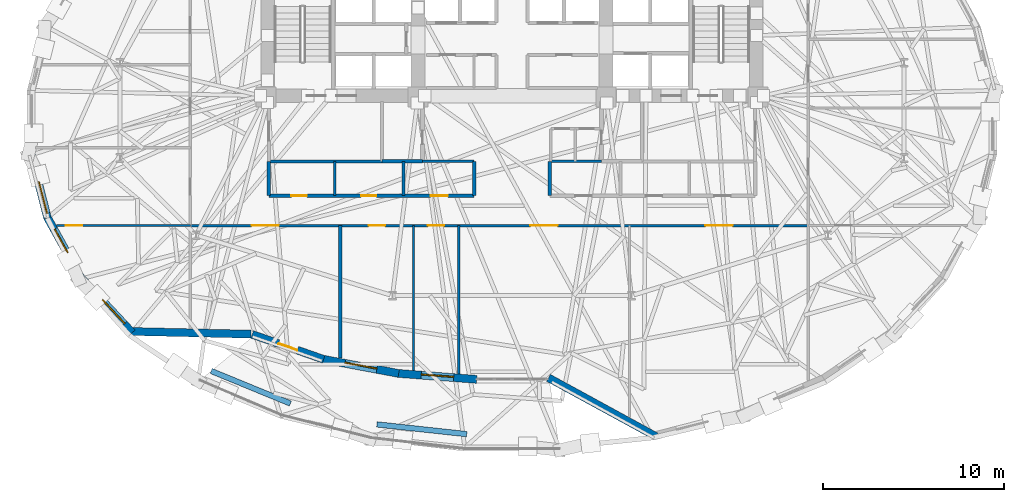
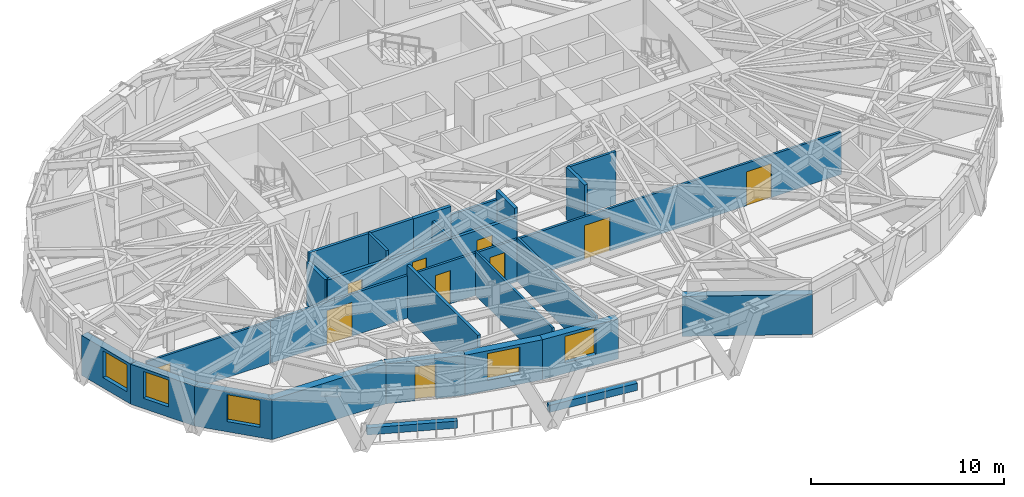
# One storey, part 7 of 15: 25 walls, 10 doors, 5 windows, 15 openings.
"""IFC4 building model written with IfcOpenShell, lengths in metres."""

from ifc_helpers import new_model, si_unit, direction, frame, frame_2d, origin, place, context, subcontext, project, spatial, rectangle, extrude, material, layer, layer_set, type_object, element, fill, save


model = new_model("IFC4")

# Units and contexts
model_context = context("Model", 3, precision=1e-05, world=origin(), true_north=direction((0.0, 1.0)))
body_context = subcontext(model_context, "Body", "Model", "MODEL_VIEW")
ifc_project = project(units=[si_unit("LENGTHUNIT", "METRE"), si_unit("AREAUNIT", "SQUARE_METRE"), si_unit("VOLUMEUNIT", "CUBIC_METRE"), si_unit("PLANEANGLEUNIT", "RADIAN"), si_unit("MASSUNIT", "GRAM", prefix="KILO")], contexts=[model_context])

# Site, building, storey
site_placement = place(None, origin())
site = spatial("IfcSite", under=ifc_project, at=site_placement, CompositionType="ELEMENT")
building_placement = place(site_placement, origin())
building = spatial("IfcBuilding", under=site, at=building_placement, Name="Keldmark Tower", CompositionType="ELEMENT")
storey_placement = place(building_placement, frame((0.0, 0.0, 114.10009765625)))
storey = spatial("IfcBuildingStorey", under=building, at=storey_placement, Name="L30", CompositionType="ELEMENT", Elevation=114.10009765625)

# Wall, openings, doors
ifc_material_1 = material(Name="Acoustic Double-Layer Gypsum Corridor Partition", Category="gypsum")
ifc_layer_1 = layer(ifc_material_1, 0.139892578125)
ifc_layer_set_1 = layer_set([ifc_layer_1], Name="Acoustic Double-Layer Gypsum Corridor Partition")
wall_type_1 = type_object("IfcWallType", Name="Acoustic Corridor Partition 140 mm", PredefinedType="PARTITIONING", material=ifc_layer_set_1)
wall_1_placement = place(storey_placement, frame((-17.800048828125, -5.699951171875, 0.0), z_axis=(0.0, 0.0, 1.0), x_axis=(1.0, 0.0, 0.0)))
wall_1 = element("IfcWall", 1, at=wall_1_placement, inside=storey, type_object=wall_type_1, Name="L30 Acoustic Corridor Partition 140 mm COR-S", PredefinedType="PARTITIONING", context=body_context, shape_type="SweptSolid", body=[
    extrude(rectangle(XDim=34.199951171875, YDim=0.139892578125, at=frame_2d((17.10009765625, 0.0))), origin(), (0.0, 0.0, 1.0), 2.68798828125),
])
opening_1_placement = place(wall_1_placement, frame((3.39990234375, 0.0, 0.0)))
opening_1 = element("IfcOpeningElement", 2, at=opening_1_placement, cuts=wall_1, Name="Opening D-CF150", PredefinedType="OPENING", context=body_context, shape_type="SweptSolid", body=[
    extrude(rectangle(XDim=1.5, YDim=2.14990234375, at=frame_2d((0.75, 1.074951171875))), frame((0.0, 0.079833984375, 0.0), z_axis=(0.0, -1.0, 0.0), x_axis=(1.0, 0.0, 0.0)), (0.0, 0.0, 1.0), 0.159912109375),
])
opening_2_placement = place(wall_1_placement, frame((9.8740234375, 0.0, 0.0)))
opening_2 = element("IfcOpeningElement", 3, at=opening_2_placement, cuts=wall_1, Name="Opening D-IN090", PredefinedType="OPENING", context=body_context, shape_type="SweptSolid", body=[
    extrude(rectangle(XDim=0.89990234375, YDim=2.10009765625, at=frame_2d((0.449951171875, 1.050048828125))), frame((0.0, 0.079833984375, 0.0), z_axis=(0.0, -1.0, 0.0), x_axis=(1.0, 0.0, 0.0)), (0.0, 0.0, 1.0), 0.159912109375),
])
opening_3_placement = place(wall_1_placement, frame((13.14697265625, 0.0, 0.0)))
opening_3 = element("IfcOpeningElement", 4, at=opening_3_placement, cuts=wall_1, Name="Opening D-IN090", PredefinedType="OPENING", context=body_context, shape_type="SweptSolid", body=[
    extrude(rectangle(XDim=0.89990234375, YDim=2.10009765625, at=frame_2d((0.449951171875, 1.050048828125))), frame((0.0, 0.079833984375, 0.0), z_axis=(0.0, -1.0, 0.0), x_axis=(1.0, 0.0, 0.0)), (0.0, 0.0, 1.0), 0.159912109375),
])
opening_4_placement = place(wall_1_placement, frame((18.822998046875, 0.0, 0.0)))
opening_4 = element("IfcOpeningElement", 5, at=opening_4_placement, cuts=wall_1, Name="Opening D-CF150", PredefinedType="OPENING", context=body_context, shape_type="SweptSolid", body=[
    extrude(rectangle(XDim=1.5, YDim=2.14990234375, at=frame_2d((0.75, 1.074951171875))), frame((0.0, 0.079833984375, 0.0), z_axis=(0.0, -1.0, 0.0), x_axis=(1.0, 0.0, 0.0)), (0.0, 0.0, 1.0), 0.159912109375),
])
opening_5_placement = place(wall_1_placement, frame((28.5, 0.0, 0.0)))
opening_5 = element("IfcOpeningElement", 6, at=opening_5_placement, cuts=wall_1, Name="Opening D-CF150", PredefinedType="OPENING", context=body_context, shape_type="SweptSolid", body=[
    extrude(rectangle(XDim=1.5, YDim=2.14990234375, at=frame_2d((0.75, 1.074951171875))), frame((0.0, 0.079833984375, 0.0), z_axis=(0.0, -1.0, 0.0), x_axis=(1.0, 0.0, 0.0)), (0.0, 0.0, 1.0), 0.159912109375),
])
ifc_material_2 = material(Name="Acoustic Timber and Tempered Glass Double Door", Category="wood")
door_type_1 = type_object("IfcDoorType", Name="Conference Double Door 1500x2150", OperationType="DOUBLE_DOOR_SINGLE_SWING", PredefinedType="DOOR", material=ifc_material_2)
door_1_placement = place(opening_1_placement, origin())
door_1 = element("IfcDoor", 7, at=door_1_placement, inside=storey, type_object=door_type_1, Name="L30 Conference Double Door 1500x2150 D-SR-1-L30", OperationType="DOUBLE_DOOR_SINGLE_SWING", OverallHeight=2.14990234375, OverallWidth=1.5, PredefinedType="DOOR", context=body_context, shape_type="SweptSolid", body=[
    extrude(rectangle(XDim=1.5, YDim=2.14990234375, at=frame_2d((0.75, 1.074951171875))), frame((0.0, 0.02490234375, 0.0), z_axis=(0.0, -1.0, 0.0), x_axis=(1.0, 0.0, 0.0)), (0.0, 0.0, 1.0), 0.050048828125),
])
fill(opening_1, door_1)
door_2_placement = place(opening_4_placement, origin())
door_2 = element("IfcDoor", 8, at=door_2_placement, inside=storey, type_object=door_type_1, Name="L30 Conference Double Door 1500x2150 D-SR-4-L30", OperationType="DOUBLE_DOOR_SINGLE_SWING", OverallHeight=2.14990234375, OverallWidth=1.5, PredefinedType="DOOR", context=body_context, shape_type="SweptSolid", body=[
    extrude(rectangle(XDim=1.5, YDim=2.14990234375, at=frame_2d((0.75, 1.074951171875))), frame((0.0, 0.02490234375, 0.0), z_axis=(0.0, -1.0, 0.0), x_axis=(1.0, 0.0, 0.0)), (0.0, 0.0, 1.0), 0.050048828125),
])
fill(opening_4, door_2)
door_3_placement = place(opening_5_placement, origin())
door_3 = element("IfcDoor", 9, at=door_3_placement, inside=storey, type_object=door_type_1, Name="L30 Conference Double Door 1500x2150 D-SR-5-L30", OperationType="DOUBLE_DOOR_SINGLE_SWING", OverallHeight=2.14990234375, OverallWidth=1.5, PredefinedType="DOOR", context=body_context, shape_type="SweptSolid", body=[
    extrude(rectangle(XDim=1.5, YDim=2.14990234375, at=frame_2d((0.75, 1.074951171875))), frame((0.0, 0.02490234375, 0.0), z_axis=(0.0, -1.0, 0.0), x_axis=(1.0, 0.0, 0.0)), (0.0, 0.0, 1.0), 0.050048828125),
])
fill(opening_5, door_3)
ifc_material_3 = material(Name="Stained American White Oak Veneer", Category="wood")
door_type_2 = type_object("IfcDoorType", Name="Interior Door 900x2100", OperationType="NOTDEFINED", PredefinedType="DOOR", material=ifc_material_3)
door_4_placement = place(opening_2_placement, origin())
door_4 = element("IfcDoor", 10, at=door_4_placement, inside=storey, type_object=door_type_2, Name="L30 Interior Door 900x2100 D-SR-2-L30", OperationType="SINGLE_SWING_RIGHT", OverallHeight=2.10009765625, OverallWidth=0.89990234375, PredefinedType="DOOR", context=body_context, shape_type="SweptSolid", body=[
    extrude(rectangle(XDim=0.89990234375, YDim=2.10009765625, at=frame_2d((0.449951171875, 1.050048828125))), frame((0.0, 0.02490234375, 0.0), z_axis=(0.0, -1.0, 0.0), x_axis=(1.0, 0.0, 0.0)), (0.0, 0.0, 1.0), 0.050048828125),
])
fill(opening_2, door_4)
door_5_placement = place(opening_3_placement, origin())
door_5 = element("IfcDoor", 11, at=door_5_placement, inside=storey, type_object=door_type_2, Name="L30 Interior Door 900x2100 D-STERR-L30", OperationType="SINGLE_SWING_LEFT", OverallHeight=2.10009765625, OverallWidth=0.89990234375, PredefinedType="DOOR", context=body_context, shape_type="SweptSolid", body=[
    extrude(rectangle(XDim=0.89990234375, YDim=2.10009765625, at=frame_2d((0.449951171875, 1.050048828125))), frame((0.0, 0.02490234375, 0.0), z_axis=(0.0, -1.0, 0.0), x_axis=(1.0, 0.0, 0.0)), (0.0, 0.0, 1.0), 0.050048828125),
])
fill(opening_3, door_5)

# Wall
ifc_material_4 = material(Name="STC-58 Insulated Tenant Demising Gypsum Partition", Category="gypsum")
ifc_layer_2 = layer(ifc_material_4, 0.175048828125)
ifc_layer_set_2 = layer_set([ifc_layer_2], Name="STC-58 Insulated Tenant Demising Gypsum Partition")
wall_type_2 = type_object("IfcWallType", Name="Demising Suite Partition 175 mm", PredefinedType="PARTITIONING", material=ifc_layer_set_2)
wall_2_placement = place(storey_placement, frame((-9.5, -13.043212890625, 0.0), z_axis=(0.0, 0.0, 1.0), x_axis=(0.0, 1.0, 0.0)))
element("IfcWall", 12, at=wall_2_placement, inside=storey, type_object=wall_type_2, Name="L30 Demising Suite Partition 175 mm S-DIV-1", PredefinedType="PARTITIONING", context=body_context, shape_type="SweptSolid", body=[
    extrude(rectangle(XDim=7.34326171875, YDim=0.175048828125, at=frame_2d((3.671630859375, 0.0))), origin(), (0.0, 0.0, 1.0), 3.309814453125),
])

# Wall, openings, doors
ifc_material_5 = material(Name="Heavy Acoustic Plumbing Chase Gypsum Assembly", Category="gypsum")
ifc_layer_3 = layer(ifc_material_5, 0.18994140625)
ifc_layer_set_3 = layer_set([ifc_layer_3], Name="Heavy Acoustic Plumbing Chase Gypsum Assembly")
wall_type_3 = type_object("IfcWallType", Name="Heavy Wet Wall 190 mm", PredefinedType="PLUMBINGWALL", material=ifc_layer_set_3)
wall_3_placement = place(storey_placement, frame((-13.449951171875, -4.050048828125, 0.0), z_axis=(0.0, 0.0, 1.0), x_axis=(1.0, 0.0, 0.0)))
wall_3 = element("IfcWall", 13, at=wall_3_placement, inside=storey, type_object=wall_type_3, Name="L30 Heavy Wet Wall 190 mm SPK-W-S", PredefinedType="PLUMBINGWALL", context=body_context, shape_type="SweptSolid", body=[
    extrude(rectangle(XDim=11.349853515625, YDim=0.18994140625, at=frame_2d((5.6748046875, 0.0))), origin(), (0.0, 0.0, 1.0), 2.762939453125),
])
opening_6_placement = place(wall_3_placement, frame((1.25, 0.0, 0.0)))
opening_6 = element("IfcOpeningElement", 14, at=opening_6_placement, cuts=wall_3, Name="Opening D-WC085", PredefinedType="OPENING", context=body_context, shape_type="SweptSolid", body=[
    extrude(rectangle(XDim=0.85009765625, YDim=2.10009765625, at=frame_2d((0.425048828125, 1.050048828125))), frame((0.0, 0.10498046875, 0.0), z_axis=(0.0, -1.0, 0.0), x_axis=(1.0, 0.0, 0.0)), (0.0, 0.0, 1.0), 0.2099609375),
])
opening_7_placement = place(wall_3_placement, frame((5.10009765625, 0.0, 0.0)))
opening_7 = element("IfcOpeningElement", 15, at=opening_7_placement, cuts=wall_3, Name="Opening D-WC085", PredefinedType="OPENING", context=body_context, shape_type="SweptSolid", body=[
    extrude(rectangle(XDim=0.85009765625, YDim=2.10009765625, at=frame_2d((0.425048828125, 1.050048828125))), frame((0.0, 0.10498046875, 0.0), z_axis=(0.0, -1.0, 0.0), x_axis=(1.0, 0.0, 0.0)), (0.0, 0.0, 1.0), 0.2099609375),
])
opening_8_placement = place(wall_3_placement, frame((8.949951171875, 0.0, 0.0)))
opening_8 = element("IfcOpeningElement", 16, at=opening_8_placement, cuts=wall_3, Name="Opening D-AWC95", PredefinedType="OPENING", context=body_context, shape_type="SweptSolid", body=[
    extrude(rectangle(XDim=0.949951171875, YDim=2.14990234375, at=frame_2d((0.47509765625, 1.074951171875))), frame((0.0, 0.10498046875, 0.0), z_axis=(0.0, -1.0, 0.0), x_axis=(1.0, 0.0, 0.0)), (0.0, 0.0, 1.0), 0.2099609375),
])
ifc_material_6 = material(Name="Painted Solid-Core Architectural Wood", Category="wood")
door_type_3 = type_object("IfcDoorType", Name="Accessible WC Door 950x2150", OperationType="NOTDEFINED", PredefinedType="DOOR", material=ifc_material_6)
door_6_placement = place(opening_8_placement, origin())
door_6 = element("IfcDoor", 17, at=door_6_placement, inside=storey, type_object=door_type_3, Name="L30 Accessible WC Door 950x2150 D-SPKW3-L30", OperationType="SINGLE_SWING_LEFT", OverallHeight=2.14990234375, OverallWidth=0.949951171875, PredefinedType="DOOR", context=body_context, shape_type="SweptSolid", body=[
    extrude(rectangle(XDim=0.949951171875, YDim=2.14990234375, at=frame_2d((0.47509765625, 1.074951171875))), frame((0.0, 0.02490234375, 0.0), z_axis=(0.0, -1.0, 0.0), x_axis=(1.0, 0.0, 0.0)), (0.0, 0.0, 1.0), 0.050048828125),
])
fill(opening_8, door_6)
ifc_material_7 = material(Name="Moisture-Sealed Painted Wood", Category="wood")
door_type_4 = type_object("IfcDoorType", Name="WC Door 850x2100", OperationType="NOTDEFINED", PredefinedType="DOOR", material=ifc_material_7)
door_7_placement = place(opening_6_placement, origin())
door_7 = element("IfcDoor", 18, at=door_7_placement, inside=storey, type_object=door_type_4, Name="L30 WC Door 850x2100 D-SPKW1-L30", OperationType="SINGLE_SWING_LEFT", OverallHeight=2.10009765625, OverallWidth=0.85009765625, PredefinedType="DOOR", context=body_context, shape_type="SweptSolid", body=[
    extrude(rectangle(XDim=0.85009765625, YDim=2.10009765625, at=frame_2d((0.425048828125, 1.050048828125))), frame((0.0, 0.02490234375, 0.0), z_axis=(0.0, -1.0, 0.0), x_axis=(1.0, 0.0, 0.0)), (0.0, 0.0, 1.0), 0.050048828125),
])
fill(opening_6, door_7)
door_8_placement = place(opening_7_placement, origin())
door_8 = element("IfcDoor", 19, at=door_8_placement, inside=storey, type_object=door_type_4, Name="L30 WC Door 850x2100 D-SPKW2-L30", OperationType="SINGLE_SWING_RIGHT", OverallHeight=2.10009765625, OverallWidth=0.85009765625, PredefinedType="DOOR", context=body_context, shape_type="SweptSolid", body=[
    extrude(rectangle(XDim=0.85009765625, YDim=2.10009765625, at=frame_2d((0.425048828125, 1.050048828125))), frame((0.0, 0.02490234375, 0.0), z_axis=(0.0, -1.0, 0.0), x_axis=(1.0, 0.0, 0.0)), (0.0, 0.0, 1.0), 0.050048828125),
])
fill(opening_7, door_8)

# Walls
wall_4_placement = place(storey_placement, frame((-13.449951171875, -4.050048828125, 0.0), z_axis=(0.0, 0.0, 1.0), x_axis=(0.0, 1.0, 0.0)))
element("IfcWall", 20, at=wall_4_placement, inside=storey, type_object=wall_type_3, Name="L30 Heavy Wet Wall 190 mm SPK-W-W", PredefinedType="PLUMBINGWALL", context=body_context, shape_type="SweptSolid", body=[
    extrude(rectangle(XDim=1.900146484375, YDim=0.18994140625, at=frame_2d((0.9501953125, 0.0))), origin(), (0.0, 0.0, 1.0), 2.762939453125),
])
for number, where, z_axis, x_axis, name in (
    (21, (-2.10009765625, -4.050048828125, 0.0), (0.0, 0.0, 1.0), (0.0, 1.0, 0.0), "L30 Heavy Wet Wall 190 mm SPK-W-E"),
    (22, (2.10009765625, -4.050048828125, 0.0), (0.0, 0.0, 1.0), (0.0, 1.0, 0.0), "L30 Heavy Wet Wall 190 mm SPK-E-W"),
):
    element("IfcWall", number, at=place(storey_placement, frame(where, z_axis=z_axis, x_axis=x_axis)), inside=storey, type_object=wall_type_3, Name=name, PredefinedType="PLUMBINGWALL", context=body_context, shape_type="SweptSolid", body=[
        extrude(rectangle(XDim=1.900146484375, YDim=0.18994140625, at=frame_2d((0.9501953125, 0.0))), origin(), (0.0, 0.0, 1.0), 3.309814453125),
    ])
ifc_material_8 = material(Name="Acoustic Gypsum Board Interior Partition", Category="gypsum")
ifc_layer_4 = layer(ifc_material_8, 0.1298828125)
ifc_layer_set_4 = layer_set([ifc_layer_4], Name="Acoustic Gypsum Board Interior Partition")
wall_type_4 = type_object("IfcWallType", Name="Interior Partition 130 mm", PredefinedType="PARTITIONING", material=ifc_layer_set_4)
wall_5_placement = place(storey_placement, frame((-5.452880859375, -13.718017578125, 0.0), z_axis=(0.0, 0.0, 1.0), x_axis=(0.0, 1.0, 0.0)))
element("IfcWall", 23, at=wall_5_placement, inside=storey, type_object=wall_type_4, Name="L30 Interior Partition 130 mm S-DIV-2", PredefinedType="PARTITIONING", context=body_context, shape_type="SweptSolid", body=[
    extrude(rectangle(XDim=8.01806640625, YDim=0.1298828125, at=frame_2d((4.009033203125, 0.0))), origin(), (0.0, 0.0, 1.0), 2.762939453125),
])
wall_6_placement = place(storey_placement, frame((-2.952880859375, -13.90771484375, 0.0), z_axis=(0.0, 0.0, 1.0), x_axis=(0.0, 1.0, 0.0)))
element("IfcWall", 24, at=wall_6_placement, inside=storey, type_object=wall_type_4, Name="L30 Interior Partition 130 mm S-DIV-3", PredefinedType="PARTITIONING", context=body_context, shape_type="SweptSolid", body=[
    extrude(rectangle(XDim=8.207763671875, YDim=0.1298828125, at=frame_2d((4.10400390625, 0.0))), origin(), (0.0, 0.0, 1.0), 2.762939453125),
])

# Wall, opening, door
wall_7_placement = place(storey_placement, frame((-25.198974609375, -5.699951171875, 0.0), z_axis=(0.0, 0.0, 1.0), x_axis=(1.0, 0.0, 0.0)))
wall_7 = element("IfcWall", 25, at=wall_7_placement, inside=storey, type_object=wall_type_4, Name="L30 Interior Partition 130 mm W-CAP-S", PredefinedType="PARTITIONING", context=body_context, shape_type="SweptSolid", body=[
    extrude(rectangle(XDim=7.39892578125, YDim=0.1298828125, at=frame_2d((3.699462890625, 0.0))), origin(), (0.0, 0.0, 1.0), 2.68798828125),
])
opening_9_placement = place(wall_7_placement, frame((0.510009765625, 0.0, 0.0)))
opening_9 = element("IfcOpeningElement", 26, at=opening_9_placement, cuts=wall_7, Name="Opening D-IN090", PredefinedType="OPENING", context=body_context, shape_type="SweptSolid", body=[
    extrude(rectangle(XDim=0.89990234375, YDim=2.10009765625, at=frame_2d((0.449951171875, 1.050048828125))), frame((0.0, 0.074951171875, 0.0), z_axis=(0.0, -1.0, 0.0), x_axis=(1.0, 0.0, 0.0)), (0.0, 0.0, 1.0), 0.14990234375),
])
door_9_placement = place(opening_9_placement, origin())
door_9 = element("IfcDoor", 27, at=door_9_placement, inside=storey, type_object=door_type_2, Name="L30 Interior Door 900x2100 D-WRSW-L30", OperationType="SINGLE_SWING_LEFT", OverallHeight=2.10009765625, OverallWidth=0.89990234375, PredefinedType="DOOR", context=body_context, shape_type="SweptSolid", body=[
    extrude(rectangle(XDim=0.89990234375, YDim=2.10009765625, at=frame_2d((0.449951171875, 1.050048828125))), frame((0.0, 0.02490234375, 0.0), z_axis=(0.0, -1.0, 0.0), x_axis=(1.0, 0.0, 0.0)), (0.0, 0.0, 1.0), 0.050048828125),
])
fill(opening_9, door_9)

# Walls
ifc_material_9 = material(Name="Type X Fire-Rated Gypsum Partition Assembly", Category="gypsum")
ifc_layer_5 = layer(ifc_material_9, 0.1650390625)
ifc_layer_set_5 = layer_set([ifc_layer_5], Name="Type X Fire-Rated Gypsum Partition Assembly")
wall_type_5 = type_object("IfcWallType", Name="Rated Partition 165 mm", PredefinedType="PARTITIONING", material=ifc_layer_set_5)
wall_8_placement = place(storey_placement, frame((-13.449951171875, -2.14990234375, 0.0), z_axis=(0.0, 0.0, 1.0), x_axis=(1.0, 0.0, 0.0)))
element("IfcWall", 28, at=wall_8_placement, inside=storey, type_object=wall_type_5, Name="L30 Rated Partition 165 mm FSAE-W-S", PredefinedType="PARTITIONING", context=body_context, shape_type="SweptSolid", body=[
    extrude(rectangle(XDim=6.25, YDim=0.1650390625, at=frame_2d((3.125, 0.0))), origin(), (0.0, 0.0, 1.0), 3.309814453125),
])
ifc_material_10 = material(Name="Fire-Resistant Type X Gypsum Shaftliner Coreboard", Category="gypsum")
ifc_layer_6 = layer(ifc_material_10, 0.199951171875)
ifc_layer_set_6 = layer_set([ifc_layer_6], Name="Fire-Resistant Type X Gypsum Shaftliner Coreboard")
wall_type_6 = type_object("IfcWallType", Name="Shaft Wall 200 mm", PredefinedType="SOLIDWALL", material=ifc_layer_set_6)
wall_9_placement = place(storey_placement, frame((-7.199951171875, -2.14990234375, 0.0), z_axis=(0.0, 0.0, 1.0), x_axis=(1.0, 0.0, 0.0)))
element("IfcWall", 29, at=wall_9_placement, inside=storey, type_object=wall_type_6, Name="L30 Shaft Wall 200 mm RIS-SW-S", PredefinedType="SOLIDWALL", context=body_context, shape_type="SweptSolid", body=[
    extrude(rectangle(XDim=2.25, YDim=0.199951171875, at=frame_2d((1.125, 0.0))), origin(), (0.0, 0.0, 1.0), 3.309814453125),
])
ifc_material_11 = material(Name="Ironspot Manganese Brick Planter Masonry", Category="masonry")
ifc_layer_7 = layer(ifc_material_11, 0.300048828125)
ifc_layer_set_7 = layer_set([ifc_layer_7], Name="Ironspot Manganese Brick Planter Masonry")
wall_type_7 = type_object("IfcWallType", Name="Terrace Brick Planter Kerb Wall 300 mm", PredefinedType="PARAPET", material=ifc_layer_set_7)
wall_10_placement = place(storey_placement, frame((-16.642578125, -13.748046875, 0.0), z_axis=(0.0, 0.0, 1.0), x_axis=(0.924939291397, -0.380114860576, 0.0)))
element("IfcWall", 30, at=wall_10_placement, inside=storey, type_object=wall_type_7, Name="L30 Sky Garden Planter 01", PredefinedType="PARAPET", context=body_context, shape_type="SweptSolid", body=[
    extrude(rectangle(XDim=4.73876953125, YDim=0.300048828125, at=frame_2d((2.369384765625, 0.0))), origin(), (0.0, 0.0, 1.0), 0.449951171875),
])
wall_11_placement = place(storey_placement, frame((-7.47412109375, -16.70361328125, 0.0), z_axis=(0.0, 0.0, 1.0), x_axis=(0.994167482167, -0.107847194685, 0.0)))
element("IfcWall", 31, at=wall_11_placement, inside=storey, type_object=wall_type_7, Name="L30 Sky Garden Planter 03", PredefinedType="PARAPET", context=body_context, shape_type="SweptSolid", body=[
    extrude(rectangle(XDim=4.998291015625, YDim=0.300048828125, at=frame_2d((2.4990234375, 0.0))), origin(), (0.0, 0.0, 1.0), 0.449951171875),
])

# Wall, opening, window
ifc_material_12 = material(Name="Ironspot Manganese Brick and Kasota Buff Limestone Spandrel Assembly", Category="masonry")
ifc_layer_8 = layer(ifc_material_12, 0.43994140625)
ifc_layer_set_8 = layer_set([ifc_layer_8], Name="Ironspot Manganese Brick and Kasota Buff Limestone Spandrel Assembly")
wall_type_8 = type_object("IfcWallType", Name="Tower Brick Pier and Spandrel Wall 440 mm", PredefinedType="STANDARD", material=ifc_layer_set_8)
wall_12_placement = place(storey_placement, frame((-25.704345703125, -5.275634765625, 0.0), z_axis=(0.0, 0.0, 1.0), x_axis=(-0.247172296022, 0.968971545547, 0.0)))
wall_12 = element("IfcWall", 32, at=wall_12_placement, inside=storey, type_object=wall_type_8, Name="L30 Exterior Brick and Spandrel Wall 17", PredefinedType="STANDARD", context=body_context, shape_type="SweptSolid", body=[
    extrude(rectangle(XDim=3.652587890625, YDim=0.43994140625, at=frame_2d((1.826171875, 0.0))), origin(), (0.0, 0.0, 1.0), 2.52783203125),
])
opening_10_placement = place(wall_12_placement, frame((0.248291015625, 0.0, 0.64990234375)))
opening_10 = element("IfcOpeningElement", 33, at=opening_10_placement, cuts=wall_12, Name="Opening W-02", PredefinedType="OPENING", context=body_context, shape_type="SweptSolid", body=[
    extrude(rectangle(XDim=1.800048828125, YDim=1.699951171875, at=frame_2d((0.89990234375, 0.85009765625))), frame((0.0, 0.22998046875, 0.0), z_axis=(0.0, -1.0, 0.0), x_axis=(1.0, 0.0, 0.0)), (0.0, 0.0, 1.0), 0.4599609375),
])
ifc_material_13 = material(Name="Thermally Broken Anodized Aluminum and Triple Low-E Argon Glazing", Category="aluminium")
window_type_1 = type_object("IfcWindowType", Name="Office Deep-Set Triple Window 1800x1700", PartitioningType="TRIPLE_PANEL_VERTICAL", PredefinedType="WINDOW", material=ifc_material_13)
window_1_placement = place(opening_10_placement, origin())
window_1 = element("IfcWindow", 34, at=window_1_placement, inside=storey, type_object=window_type_1, Name="L30 Deep-Set Window 17", OverallHeight=1.699951171875, OverallWidth=1.800048828125, PartitioningType="SINGLE_PANEL", PredefinedType="WINDOW", context=body_context, shape_type="SweptSolid", body=[
    extrude(rectangle(XDim=1.800048828125, YDim=1.699951171875, at=frame_2d((0.89990234375, 0.85009765625))), frame((0.0, -0.010009765625, 0.0), z_axis=(0.0, -1.0, 0.0), x_axis=(1.0, 0.0, 0.0)), (0.0, 0.0, 1.0), 0.06005859375),
])
fill(opening_10, window_1)

wall_13_placement = place(storey_placement, frame((-23.84423828125, -8.60302734375, 0.0), z_axis=(0.0, 0.0, 1.0), x_axis=(-0.486285838125, 0.873799796086, 0.0)))
wall_13 = element("IfcWall", 35, at=wall_13_placement, inside=storey, type_object=wall_type_8, Name="L30 Exterior Brick and Spandrel Wall 18", PredefinedType="STANDARD", context=body_context, shape_type="SweptSolid", body=[
    extrude(rectangle(XDim=3.868408203125, YDim=0.43994140625, at=frame_2d((1.93408203125, 0.0))), origin(), (0.0, 0.0, 1.0), 2.52783203125),
])
opening_11_placement = place(wall_13_placement, frame((1.577880859375, 0.0, 0.64990234375)))
opening_11 = element("IfcOpeningElement", 36, at=opening_11_placement, cuts=wall_13, Name="Opening W-03", PredefinedType="OPENING", context=body_context, shape_type="SweptSolid", body=[
    extrude(rectangle(XDim=1.5, YDim=1.699951171875, at=frame_2d((0.75, 0.85009765625))), frame((0.0, 0.22998046875, 0.0), z_axis=(0.0, -1.0, 0.0), x_axis=(1.0, 0.0, 0.0)), (0.0, 0.0, 1.0), 0.4599609375),
])
ifc_material_14 = material(Name="Thermally Broken Anodized Aluminum and Triple Low-E Argon Glazing", Category="aluminium")
window_type_2 = type_object("IfcWindowType", Name="Office Corner Deep-Set Window 1500x1700", PartitioningType="DOUBLE_PANEL_VERTICAL", PredefinedType="WINDOW", material=ifc_material_14)
window_2_placement = place(opening_11_placement, origin())
window_2 = element("IfcWindow", 37, at=window_2_placement, inside=storey, type_object=window_type_2, Name="L30 Deep-Set Window 18", OverallHeight=1.699951171875, OverallWidth=1.5, PartitioningType="SINGLE_PANEL", PredefinedType="WINDOW", context=body_context, shape_type="SweptSolid", body=[
    extrude(rectangle(XDim=1.5, YDim=1.699951171875, at=frame_2d((0.75, 0.85009765625))), frame((0.0, -0.010009765625, 0.0), z_axis=(0.0, -1.0, 0.0), x_axis=(1.0, 0.0, 0.0)), (0.0, 0.0, 1.0), 0.06005859375),
])
fill(opening_11, window_2)

wall_14_placement = place(storey_placement, frame((-21.010498046875, -11.629150390625, 0.0), z_axis=(0.0, 0.0, 1.0), x_axis=(-0.682353469166, 0.73102239577, 0.0)))
wall_14 = element("IfcWall", 38, at=wall_14_placement, inside=storey, type_object=wall_type_8, Name="L30 Exterior Brick and Spandrel Wall 19", PredefinedType="STANDARD", context=body_context, shape_type="SweptSolid", body=[
    extrude(rectangle(XDim=4.19873046875, YDim=0.43994140625, at=frame_2d((2.099365234375, 0.0))), origin(), (0.0, 0.0, 1.0), 2.52783203125),
])
opening_12_placement = place(wall_14_placement, frame((0.649658203125, 0.0, 0.64990234375)))
opening_12 = element("IfcOpeningElement", 39, at=opening_12_placement, cuts=wall_14, Name="Opening W-02", PredefinedType="OPENING", context=body_context, shape_type="SweptSolid", body=[
    extrude(rectangle(XDim=1.800048828125, YDim=1.699951171875, at=frame_2d((0.89990234375, 0.85009765625))), frame((0.0, 0.22998046875, 0.0), z_axis=(0.0, -1.0, 0.0), x_axis=(1.0, 0.0, 0.0)), (0.0, 0.0, 1.0), 0.4599609375),
])
window_3_placement = place(opening_12_placement, origin())
window_3 = element("IfcWindow", 40, at=window_3_placement, inside=storey, type_object=window_type_1, Name="L30 Deep-Set Window 19", OverallHeight=1.699951171875, OverallWidth=1.800048828125, PartitioningType="SINGLE_PANEL", PredefinedType="WINDOW", context=body_context, shape_type="SweptSolid", body=[
    extrude(rectangle(XDim=1.800048828125, YDim=1.699951171875, at=frame_2d((0.89990234375, 0.85009765625))), frame((0.0, -0.010009765625, 0.0), z_axis=(0.0, -1.0, 0.0), x_axis=(1.0, 0.0, 0.0)), (0.0, 0.0, 1.0), 0.06005859375),
])
fill(opening_12, window_3)

# Wall
wall_15_placement = place(storey_placement, frame((-14.440185546875, -11.712890625, 0.0), z_axis=(0.0, 0.0, 1.0), x_axis=(-0.999739488543, 0.022824439704, 0.0)))
element("IfcWall", 41, at=wall_15_placement, inside=storey, type_object=wall_type_8, Name="L30 Exterior Brick and Spandrel Wall 20", PredefinedType="STANDARD", context=body_context, shape_type="SweptSolid", body=[
    extrude(rectangle(XDim=6.72802734375, YDim=0.43994140625, at=frame_2d((3.364013671875, 0.0))), origin(), (0.0, 0.0, 1.0), 2.531982421875),
])

# Wall, opening, door
wall_16_placement = place(storey_placement, frame((-10.422607421875, -13.103515625, 0.0), z_axis=(0.0, 0.0, 1.0), x_axis=(-0.944167257662, 0.329466522668, 0.0)))
wall_16 = element("IfcWall", 42, at=wall_16_placement, inside=storey, type_object=wall_type_8, Name="L30 Exterior Brick and Spandrel Wall 21", PredefinedType="STANDARD", context=body_context, shape_type="SweptSolid", body=[
    extrude(rectangle(XDim=4.183837890625, YDim=0.43994140625, at=frame_2d((2.091796875, 0.0))), origin(), (0.0, 0.0, 1.0), 2.531982421875),
])
opening_13_placement = place(wall_16_placement, frame((1.5419921875, 0.0, 0.0)))
opening_13 = element("IfcOpeningElement", 43, at=opening_13_placement, cuts=wall_16, Name="Opening TD-01", PredefinedType="OPENING", context=body_context, shape_type="SweptSolid", body=[
    extrude(rectangle(XDim=1.10009765625, YDim=2.14990234375, at=frame_2d((0.550048828125, 1.074951171875))), frame((0.0, 0.22998046875, 0.0), z_axis=(0.0, -1.0, 0.0), x_axis=(1.0, 0.0, 0.0)), (0.0, 0.0, 1.0), 0.4599609375),
])
ifc_material_15 = material(Name="Thermally Broken Painted Aluminum and Laminated Safety Glass", Category="aluminium")
door_type_5 = type_object("IfcDoorType", Name="Sky Garden Terrace Glazed Door 1100x2150", OperationType="SINGLE_SWING_LEFT", PredefinedType="DOOR", material=ifc_material_15)
door_10_placement = place(opening_13_placement, origin())
door_10 = element("IfcDoor", 44, at=door_10_placement, inside=storey, type_object=door_type_5, Name="L30 Sky-Garden Terrace Door 21", OperationType="SINGLE_SWING_LEFT", OverallHeight=2.14990234375, OverallWidth=1.10009765625, PredefinedType="DOOR", context=body_context, shape_type="SweptSolid", body=[
    extrude(rectangle(XDim=1.10009765625, YDim=2.14990234375, at=frame_2d((0.550048828125, 1.074951171875))), frame((0.0, 0.02490234375, 0.0), z_axis=(0.0, -1.0, 0.0), x_axis=(1.0, 0.0, 0.0)), (0.0, 0.0, 1.0), 0.050048828125),
])
fill(opening_13, door_10)

# Wall, opening, window
wall_17_placement = place(storey_placement, frame((-6.26904296875, -13.885986328125, 0.0), z_axis=(0.0, 0.0, 1.0), x_axis=(-0.982602489318, 0.185721156539, 0.0)))
wall_17 = element("IfcWall", 45, at=wall_17_placement, inside=storey, type_object=wall_type_8, Name="L30 Exterior Brick and Spandrel Wall 22", PredefinedType="STANDARD", context=body_context, shape_type="SweptSolid", body=[
    extrude(rectangle(XDim=4.25927734375, YDim=0.43994140625, at=frame_2d((2.129638671875, 0.0))), origin(), (0.0, 0.0, 1.0), 2.531982421875),
])
opening_14_placement = place(wall_17_placement, frame((1.2294921875, 0.0, 0.64990234375)))
opening_14 = element("IfcOpeningElement", 46, at=opening_14_placement, cuts=wall_17, Name="Opening W-02", PredefinedType="OPENING", context=body_context, shape_type="SweptSolid", body=[
    extrude(rectangle(XDim=1.800048828125, YDim=1.699951171875, at=frame_2d((0.89990234375, 0.85009765625))), frame((0.0, 0.22998046875, 0.0), z_axis=(0.0, -1.0, 0.0), x_axis=(1.0, 0.0, 0.0)), (0.0, 0.0, 1.0), 0.4599609375),
])
window_4_placement = place(opening_14_placement, origin())
window_4 = element("IfcWindow", 47, at=window_4_placement, inside=storey, type_object=window_type_1, Name="L30 Deep-Set Window 22", OverallHeight=1.699951171875, OverallWidth=1.800048828125, PartitioningType="SINGLE_PANEL", PredefinedType="WINDOW", context=body_context, shape_type="SweptSolid", body=[
    extrude(rectangle(XDim=1.800048828125, YDim=1.699951171875, at=frame_2d((0.89990234375, 0.85009765625))), frame((0.0, -0.010009765625, 0.0), z_axis=(0.0, -1.0, 0.0), x_axis=(1.0, 0.0, 0.0)), (0.0, 0.0, 1.0), 0.06005859375),
])
fill(opening_14, window_4)

wall_18_placement = place(storey_placement, frame((-1.948974609375, -14.212646484375, 0.0), z_axis=(0.0, 0.0, 1.0), x_axis=(-0.997130139105, 0.075706576258, 0.0)))
wall_18 = element("IfcWall", 48, at=wall_18_placement, inside=storey, type_object=wall_type_8, Name="L30 Exterior Brick and Spandrel Wall 23", PredefinedType="STANDARD", context=body_context, shape_type="SweptSolid", body=[
    extrude(rectangle(XDim=4.356689453125, YDim=0.43994140625, at=frame_2d((2.17822265625, 0.0))), origin(), (0.0, 0.0, 1.0), 2.531982421875),
])
opening_15_placement = place(wall_18_placement, frame((1.2783203125, 0.0, 0.64990234375)))
opening_15 = element("IfcOpeningElement", 49, at=opening_15_placement, cuts=wall_18, Name="Opening W-02", PredefinedType="OPENING", context=body_context, shape_type="SweptSolid", body=[
    extrude(rectangle(XDim=1.800048828125, YDim=1.699951171875, at=frame_2d((0.89990234375, 0.85009765625))), frame((0.0, 0.22998046875, 0.0), z_axis=(0.0, -1.0, 0.0), x_axis=(1.0, 0.0, 0.0)), (0.0, 0.0, 1.0), 0.4599609375),
])
window_5_placement = place(opening_15_placement, origin())
window_5 = element("IfcWindow", 50, at=window_5_placement, inside=storey, type_object=window_type_1, Name="L30 Deep-Set Window 23", OverallHeight=1.699951171875, OverallWidth=1.800048828125, PartitioningType="SINGLE_PANEL", PredefinedType="WINDOW", context=body_context, shape_type="SweptSolid", body=[
    extrude(rectangle(XDim=1.800048828125, YDim=1.699951171875, at=frame_2d((0.89990234375, 0.85009765625))), frame((0.0, -0.010009765625, 0.0), z_axis=(0.0, -1.0, 0.0), x_axis=(1.0, 0.0, 0.0)), (0.0, 0.0, 1.0), 0.06005859375),
])
fill(opening_15, window_5)

# Walls
wall_19_placement = place(storey_placement, frame((7.96728515625, -17.377685546875, 0.0), z_axis=(0.0, 0.0, 1.0), x_axis=(-0.877693058441, 0.479223220602, 0.0)))
element("IfcWall", 51, at=wall_19_placement, inside=storey, type_object=wall_type_8, Name="L30 Exterior Brick and Spandrel Wall 25", PredefinedType="STANDARD", context=body_context, shape_type="SweptSolid", body=[
    extrude(rectangle(XDim=6.775146484375, YDim=0.43994140625, at=frame_2d((3.3876953125, 0.0))), origin(), (0.0, 0.0, 1.0), 2.52783203125),
])
ifc_material_16 = material(Name="Moisture-Resistant Gypsum Plumbing Partition", Category="gypsum")
ifc_layer_9 = layer(ifc_material_16, 0.14990234375)
ifc_layer_set_9 = layer_set([ifc_layer_9], Name="Moisture-Resistant Gypsum Plumbing Partition")
wall_type_9 = type_object("IfcWallType", Name="Wet Wall 150 mm", PredefinedType="PLUMBINGWALL", material=ifc_layer_set_9)
wall_20_placement = place(storey_placement, frame((-4.949951171875, -2.14990234375, 0.0), z_axis=(0.0, 0.0, 1.0), x_axis=(1.0, 0.0, 0.0)))
element("IfcWall", 52, at=wall_20_placement, inside=storey, type_object=wall_type_9, Name="L30 Wet Wall 150 mm SPK-W-N", PredefinedType="PLUMBINGWALL", context=body_context, shape_type="SweptSolid", body=[
    extrude(rectangle(XDim=2.849853515625, YDim=0.14990234375, at=frame_2d((1.4248046875, 0.0))), origin(), (0.0, 0.0, 1.0), 2.762939453125),
])
wall_21_placement = place(storey_placement, frame((-9.800048828125, -4.050048828125, 0.0), z_axis=(0.0, 0.0, 1.0), x_axis=(0.0, 1.0, 0.0)))
element("IfcWall", 53, at=wall_21_placement, inside=storey, type_object=wall_type_9, Name="L30 Wet Wall 150 mm SPK-W-D1", PredefinedType="PLUMBINGWALL", context=body_context, shape_type="SweptSolid", body=[
    extrude(rectangle(XDim=1.900146484375, YDim=0.14990234375, at=frame_2d((0.9501953125, 0.0))), origin(), (0.0, 0.0, 1.0), 3.309814453125),
])
wall_22_placement = place(storey_placement, frame((-6.0, -4.050048828125, 0.0), z_axis=(0.0, 0.0, 1.0), x_axis=(0.0, 1.0, 0.0)))
element("IfcWall", 54, at=wall_22_placement, inside=storey, type_object=wall_type_9, Name="L30 Wet Wall 150 mm SPK-W-D2", PredefinedType="PLUMBINGWALL", context=body_context, shape_type="SweptSolid", body=[
    extrude(rectangle(XDim=1.900146484375, YDim=0.14990234375, at=frame_2d((0.9501953125, 0.0))), origin(), (0.0, 0.0, 1.0), 2.762939453125),
])
wall_23_placement = place(storey_placement, frame((2.10009765625, -2.14990234375, 0.0), z_axis=(0.0, 0.0, 1.0), x_axis=(1.0, 0.0, 0.0)))
element("IfcWall", 55, at=wall_23_placement, inside=storey, type_object=wall_type_9, Name="L30 Wet Wall 150 mm SPK-E-N", PredefinedType="PLUMBINGWALL", context=body_context, shape_type="SweptSolid", body=[
    extrude(rectangle(XDim=2.849853515625, YDim=0.14990234375, at=frame_2d((1.4248046875, 0.0))), origin(), (0.0, 0.0, 1.0), 3.309814453125),
])

save(model, "model.ifc")
